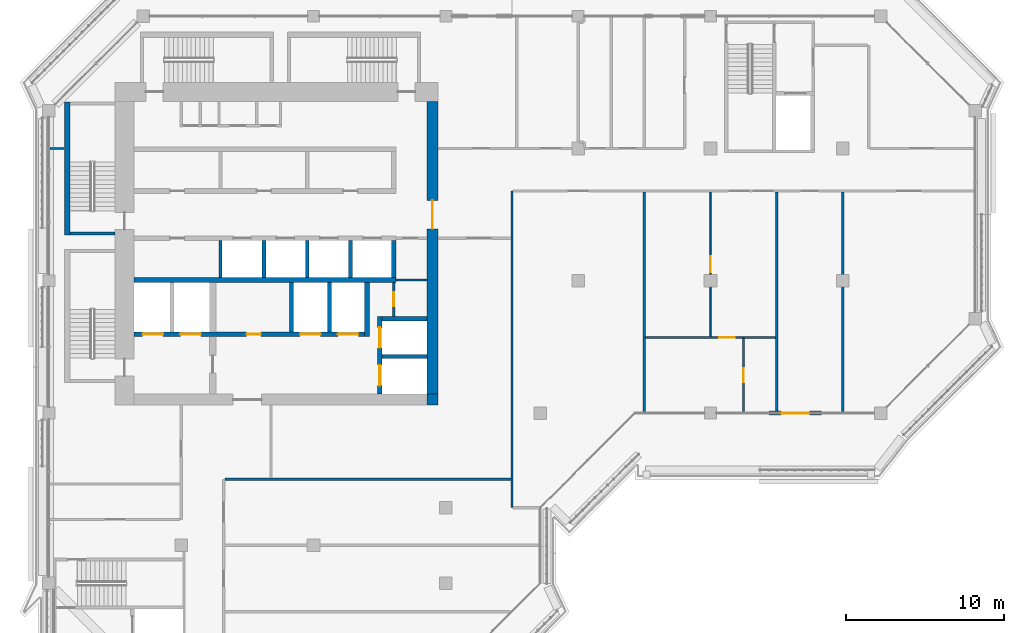
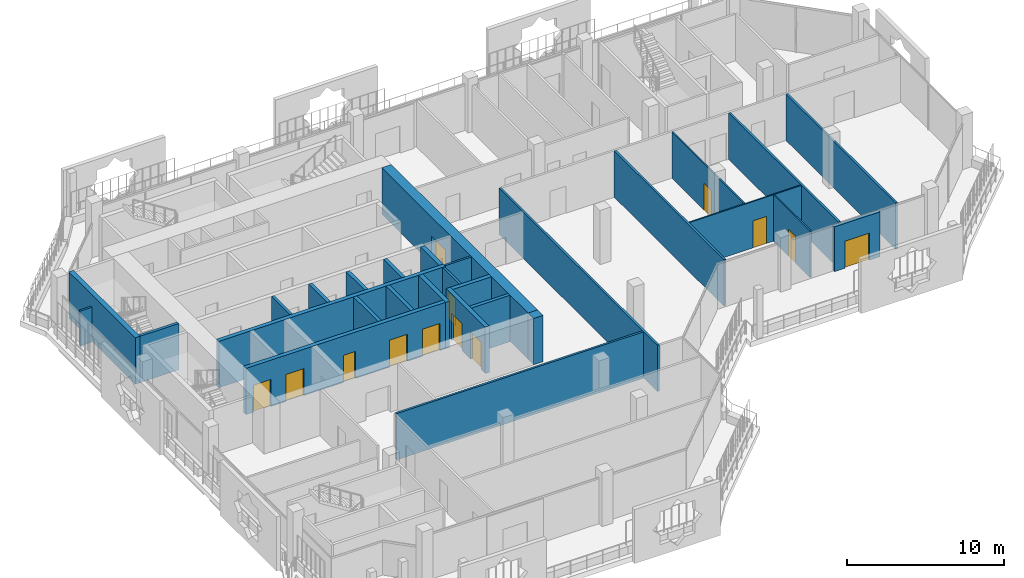
# One storey, part 11 of 21: 29 walls, 13 doors, 13 openings.
"""IFC4 building model written with IfcOpenShell, lengths in metres."""

from ifc_helpers import new_model, si_unit, direction, frame, frame_2d, origin, place, context, subcontext, project, spatial, rectangle, extrude, material, layer, layer_set, type_object, element, fill, save


model = new_model("IFC4")

# Units and contexts
model_context = context("Model", 3, precision=1e-05, world=origin(), true_north=direction((0.0, 1.0)))
body_context = subcontext(model_context, "Body", "Model", "MODEL_VIEW")
ifc_project = project(units=[si_unit("LENGTHUNIT", "METRE"), si_unit("AREAUNIT", "SQUARE_METRE"), si_unit("VOLUMEUNIT", "CUBIC_METRE"), si_unit("PLANEANGLEUNIT", "RADIAN"), si_unit("MASSUNIT", "GRAM", prefix="KILO")], contexts=[model_context])

# Site, building, storey
site_placement = place(None, origin())
site = spatial("IfcSite", under=ifc_project, at=site_placement, CompositionType="ELEMENT")
building_placement = place(site_placement, origin())
building = spatial("IfcBuilding", under=site, at=building_placement, Name="Kawkab Arch Medical Tower", CompositionType="ELEMENT")
storey_placement = place(building_placement, frame((0.0, 0.0, 311.199951171875)))
storey = spatial("IfcBuildingStorey", under=building, at=storey_placement, Name="L72", CompositionType="ELEMENT", Elevation=311.199951171875)

# Wall, opening, door
ifc_material_1 = material(Name="Concrete C50/60", Category="concrete")
ifc_layer_1 = layer(ifc_material_1, 0.699951171875)
ifc_layer_set_1 = layer_set([ifc_layer_1], Name="Concrete C50/60")
wall_type_1 = type_object("IfcWallType", Name="Core ring wall 700 C50/60", PredefinedType="SHEAR", material=ifc_layer_set_1)
wall_1_placement = place(storey_placement, frame((24.35009765625, -24.0, 0.0), z_axis=(0.0, 0.0, 1.0), x_axis=(0.0, 1.0, 0.0)))
wall_1 = element("IfcWall", 1, at=wall_1_placement, inside=storey, type_object=wall_type_1, Name="L72 core wall", PredefinedType="SHEAR", context=body_context, shape_type="SweptSolid", body=[
    extrude(rectangle(XDim=18.60009765625, YDim=0.699951171875, at=frame_2d((9.300048828125, 0.0))), origin(), (0.0, 0.0, 1.0), 3.60009765625),
])
opening_1_placement = place(wall_1_placement, frame((10.5, 0.0, 0.0)))
opening_1 = element("IfcOpeningElement", 2, at=opening_1_placement, cuts=wall_1, Name="Opening PD", PredefinedType="OPENING", context=body_context, shape_type="SweptSolid", body=[
    extrude(rectangle(XDim=1.800048828125, YDim=2.10009765625, at=frame_2d((0.89990234375, 1.050048828125))), frame((0.0, 0.35986328125, 0.0), z_axis=(0.0, -1.0, 0.0), x_axis=(1.0, 0.0, 0.0)), (0.0, 0.0, 1.0), 0.719970703125),
])
ifc_material_2 = material(Name="Hollow metal fire door leaf")
door_type_1 = type_object("IfcDoorType", Name="Core entrance doors 1800", OperationType="DOUBLE_DOOR_SINGLE_SWING", PredefinedType="DOOR", material=ifc_material_2)
door_1_placement = place(opening_1_placement, origin())
door_1 = element("IfcDoor", 3, at=door_1_placement, inside=storey, type_object=door_type_1, Name="L72 East entrance doors", OperationType="DOUBLE_DOOR_SINGLE_SWING", OverallHeight=2.10009765625, OverallWidth=1.800048828125, PredefinedType="DOOR", context=body_context, shape_type="SweptSolid", body=[
    extrude(rectangle(XDim=1.800048828125, YDim=2.10009765625, at=frame_2d((0.89990234375, 1.050048828125))), frame((0.0, 0.02490234375, 0.0), z_axis=(0.0, -1.0, 0.0), x_axis=(1.0, 0.0, 0.0)), (0.0, 0.0, 1.0), 0.050048828125),
])
fill(opening_1, door_1)

# Wall
wall_2_placement = place(storey_placement, frame((24.35009765625, -24.699951171875, 0.0), z_axis=(0.0, 0.0, 1.0), x_axis=(0.0, 1.0, 0.0)))
element("IfcWall", 4, at=wall_2_placement, inside=storey, type_object=wall_type_1, Name="L72 core wall", PredefinedType="SHEAR", context=body_context, shape_type="SweptSolid", body=[
    extrude(rectangle(XDim=0.699951171875, YDim=0.699951171875, at=frame_2d((0.35009765625, 0.0))), origin(), (0.0, 0.0, 1.0), 3.60009765625),
])

# Wall, opening, door
ifc_material_3 = material(Name="Gypsum board on steel studs", Category="steel")
ifc_layer_2 = layer(ifc_material_3, 0.14990234375)
ifc_layer_set_2 = layer_set([ifc_layer_2], Name="Gypsum board on steel studs")
wall_type_2 = type_object("IfcWallType", Name="Core room partition 150", PredefinedType="PARTITIONING", material=ifc_layer_set_2)
wall_3_placement = place(storey_placement, frame((21.89990234375, -19.050048828125, 0.0), z_axis=(0.0, 0.0, 1.0), x_axis=(0.0, 1.0, 0.0)))
wall_3 = element("IfcWall", 5, at=wall_3_placement, inside=storey, type_object=wall_type_2, Name="L72 core room partition", PredefinedType="PARTITIONING", context=body_context, shape_type="SweptSolid", body=[
    extrude(rectangle(XDim=2.150146484375, YDim=0.14990234375, at=frame_2d((1.0751953125, 0.0))), origin(), (0.0, 0.0, 1.0), 3.60009765625),
])
opening_2_placement = place(wall_3_placement, frame((0.625, 0.0, 0.0)))
opening_2 = element("IfcOpeningElement", 6, at=opening_2_placement, cuts=wall_3, Name="Opening RD", PredefinedType="OPENING", context=body_context, shape_type="SweptSolid", body=[
    extrude(rectangle(XDim=0.89990234375, YDim=2.10009765625, at=frame_2d((0.449951171875, 1.050048828125))), frame((0.0, 0.0849609375, 0.0), z_axis=(0.0, -1.0, 0.0), x_axis=(1.0, 0.0, 0.0)), (0.0, 0.0, 1.0), 0.169921875),
])
ifc_material_4 = material(Name="Hollow metal fire door leaf")
door_type_2 = type_object("IfcDoorType", Name="Core room door 900", OperationType="SINGLE_SWING_LEFT", PredefinedType="DOOR", material=ifc_material_4)
door_2_placement = place(opening_2_placement, origin())
door_2 = element("IfcDoor", 7, at=door_2_placement, inside=storey, type_object=door_type_2, Name="L72 Staff WC door", OperationType="SINGLE_SWING_LEFT", OverallHeight=2.10009765625, OverallWidth=0.89990234375, PredefinedType="DOOR", context=body_context, shape_type="SweptSolid", body=[
    extrude(rectangle(XDim=0.89990234375, YDim=2.10009765625, at=frame_2d((0.449951171875, 1.050048828125))), frame((0.0, 0.02490234375, 0.0), z_axis=(0.0, -1.0, 0.0), x_axis=(1.0, 0.0, 0.0)), (0.0, 0.0, 1.0), 0.050048828125),
])
fill(opening_2, door_2)

# Walls
wall_4_placement = place(storey_placement, frame((22.050048828125, -16.75, 0.0), z_axis=(0.0, 0.0, 1.0), x_axis=(1.0, 0.0, 0.0)))
element("IfcWall", 8, at=wall_4_placement, inside=storey, type_object=wall_type_2, Name="L72 core room partition", PredefinedType="PARTITIONING", context=body_context, shape_type="SweptSolid", body=[
    extrude(rectangle(XDim=1.949951171875, YDim=0.14990234375, at=frame_2d((0.97509765625, 0.0))), origin(), (0.0, 0.0, 1.0), 3.60009765625),
])
ifc_material_5 = material(Name="Concrete C60/75", Category="concrete")
ifc_layer_3 = layer(ifc_material_5, 0.25)
ifc_layer_set_3 = layer_set([ifc_layer_3], Name="Concrete C60/75")
wall_type_3 = type_object("IfcWallType", Name="Core shear wall 250 C60/75", PredefinedType="SHEAR", material=ifc_layer_set_3)
wall_5_placement = place(storey_placement, frame((21.14990234375, -21.60009765625, 0.0), z_axis=(0.0, 0.0, 1.0), x_axis=(1.0, 0.0, 0.0)))
element("IfcWall", 9, at=wall_5_placement, inside=storey, type_object=wall_type_3, Name="L72 core shear wall", PredefinedType="SHEAR", context=body_context, shape_type="SweptSolid", body=[
    extrude(rectangle(XDim=2.85009765625, YDim=0.25, at=frame_2d((1.425048828125, 0.0))), origin(), (0.0, 0.0, 1.0), 3.60009765625),
])
for number, where, z_axis, x_axis, name in (
    (10, (15.39990234375, -20.050048828125, 0.0), (0.0, 0.0, 1.0), (0.0, 1.0, 0.0), "L72 core shear wall"),
    (11, (17.800048828125, -20.050048828125, 0.0), (0.0, 0.0, 1.0), (0.0, 1.0, 0.0), "L72 core shear wall"),
):
    element("IfcWall", number, at=place(storey_placement, frame(where, z_axis=z_axis, x_axis=x_axis)), inside=storey, type_object=wall_type_3, Name=name, PredefinedType="SHEAR", context=body_context, shape_type="SweptSolid", body=[
        extrude(rectangle(XDim=3.150146484375, YDim=0.25, at=frame_2d((1.5751953125, 0.0))), origin(), (0.0, 0.0, 1.0), 3.60009765625),
    ])
for number, where, z_axis, x_axis, name in (
    (12, (13.64990234375, -16.60009765625, 0.0), (0.0, 0.0, 1.0), (0.0, 1.0, 0.0), "L72 core shear wall"),
    (13, (16.39990234375, -16.60009765625, 0.0), (0.0, 0.0, 1.0), (0.0, 1.0, 0.0), "L72 core shear wall"),
    (14, (19.14990234375, -16.60009765625, 0.0), (0.0, 0.0, 1.0), (0.0, 1.0, 0.0), "L72 core shear wall"),
):
    element("IfcWall", number, at=place(storey_placement, frame(where, z_axis=z_axis, x_axis=x_axis)), inside=storey, type_object=wall_type_3, Name=name, PredefinedType="SHEAR", context=body_context, shape_type="SweptSolid", body=[
        extrude(rectangle(XDim=2.35009765625, YDim=0.25, at=frame_2d((1.175048828125, 0.0))), origin(), (0.0, 0.0, 1.0), 3.60009765625),
    ])
ifc_material_6 = material(Name="Concrete C60/75", Category="concrete")
ifc_layer_4 = layer(ifc_material_6, 0.300048828125)
ifc_layer_set_4 = layer_set([ifc_layer_4], Name="Concrete C60/75")
wall_type_4 = type_object("IfcWallType", Name="Core shear wall 300 C60/75", PredefinedType="SHEAR", material=ifc_layer_set_4)
wall_6_placement = place(storey_placement, frame((5.39990234375, -16.75, 0.0), z_axis=(0.0, 0.0, 1.0), x_axis=(1.0, 0.0, 0.0)))
element("IfcWall", 15, at=wall_6_placement, inside=storey, type_object=wall_type_4, Name="L72 core shear wall", PredefinedType="SHEAR", context=body_context, shape_type="SweptSolid", body=[
    extrude(rectangle(XDim=16.650146484375, YDim=0.300048828125, at=frame_2d((8.3251953125, 0.0))), origin(), (0.0, 0.0, 1.0), 3.60009765625),
])

# Wall, openings, doors
wall_7_placement = place(storey_placement, frame((5.39990234375, -20.199951171875, 0.0), z_axis=(0.0, 0.0, 1.0), x_axis=(1.0, 0.0, 0.0)))
wall_7 = element("IfcWall", 16, at=wall_7_placement, inside=storey, type_object=wall_type_4, Name="L72 core shear wall", PredefinedType="SHEAR", context=body_context, shape_type="SweptSolid", body=[
    extrude(rectangle(XDim=14.650146484375, YDim=0.300048828125, at=frame_2d((7.3251953125, 0.0))), origin(), (0.0, 0.0, 1.0), 3.60009765625),
])
opening_3_placement = place(wall_7_placement, frame((10.550048828125, 0.0, 0.0)))
opening_3 = element("IfcOpeningElement", 17, at=opening_3_placement, cuts=wall_7, Name="Opening LD2", PredefinedType="OPENING", context=body_context, shape_type="SweptSolid", body=[
    extrude(rectangle(XDim=1.300048828125, YDim=2.10009765625, at=frame_2d((0.64990234375, 1.050048828125))), frame((0.0, 0.159912109375, 0.0), z_axis=(0.0, -1.0, 0.0), x_axis=(1.0, 0.0, 0.0)), (0.0, 0.0, 1.0), 0.320068359375),
])
opening_4_placement = place(wall_7_placement, frame((12.949951171875, 0.0, 0.0)))
opening_4 = element("IfcOpeningElement", 18, at=opening_4_placement, cuts=wall_7, Name="Opening LD2", PredefinedType="OPENING", context=body_context, shape_type="SweptSolid", body=[
    extrude(rectangle(XDim=1.300048828125, YDim=2.10009765625, at=frame_2d((0.64990234375, 1.050048828125))), frame((0.0, 0.159912109375, 0.0), z_axis=(0.0, -1.0, 0.0), x_axis=(1.0, 0.0, 0.0)), (0.0, 0.0, 1.0), 0.320068359375),
])
opening_5_placement = place(wall_7_placement, frame((0.550048828125, 0.0, 0.0)))
opening_5 = element("IfcOpeningElement", 19, at=opening_5_placement, cuts=wall_7, Name="Opening LD2", PredefinedType="OPENING", context=body_context, shape_type="SweptSolid", body=[
    extrude(rectangle(XDim=1.300048828125, YDim=2.10009765625, at=frame_2d((0.64990234375, 1.050048828125))), frame((0.0, 0.159912109375, 0.0), z_axis=(0.0, -1.0, 0.0), x_axis=(1.0, 0.0, 0.0)), (0.0, 0.0, 1.0), 0.320068359375),
])
opening_6_placement = place(wall_7_placement, frame((2.949951171875, 0.0, 0.0)))
opening_6 = element("IfcOpeningElement", 20, at=opening_6_placement, cuts=wall_7, Name="Opening LD2", PredefinedType="OPENING", context=body_context, shape_type="SweptSolid", body=[
    extrude(rectangle(XDim=1.300048828125, YDim=2.10009765625, at=frame_2d((0.64990234375, 1.050048828125))), frame((0.0, 0.159912109375, 0.0), z_axis=(0.0, -1.0, 0.0), x_axis=(1.0, 0.0, 0.0)), (0.0, 0.0, 1.0), 0.320068359375),
])
opening_7_placement = place(wall_7_placement, frame((7.14990234375, 0.0, 0.0)))
opening_7 = element("IfcOpeningElement", 21, at=opening_7_placement, cuts=wall_7, Name="Opening RD", PredefinedType="OPENING", context=body_context, shape_type="SweptSolid", body=[
    extrude(rectangle(XDim=0.89990234375, YDim=2.10009765625, at=frame_2d((0.449951171875, 1.050048828125))), frame((0.0, 0.159912109375, 0.0), z_axis=(0.0, -1.0, 0.0), x_axis=(1.0, 0.0, 0.0)), (0.0, 0.0, 1.0), 0.320068359375),
])
door_3_placement = place(opening_7_placement, origin())
door_3 = element("IfcDoor", 22, at=door_3_placement, inside=storey, type_object=door_type_2, Name="L72 Housekeeping store door", OperationType="SINGLE_SWING_LEFT", OverallHeight=2.10009765625, OverallWidth=0.89990234375, PredefinedType="DOOR", context=body_context, shape_type="SweptSolid", body=[
    extrude(rectangle(XDim=0.89990234375, YDim=2.10009765625, at=frame_2d((0.449951171875, 1.050048828125))), frame((0.0, 0.02490234375, 0.0), z_axis=(0.0, -1.0, 0.0), x_axis=(1.0, 0.0, 0.0)), (0.0, 0.0, 1.0), 0.050048828125),
])
fill(opening_7, door_3)
ifc_material_7 = material(Name="Stainless steel lift door leaf", Category="steel")
door_type_3 = type_object("IfcDoorType", Name="Lift landing door 1300", OperationType="DOUBLE_DOOR_SLIDING", PredefinedType="DOOR", material=ifc_material_7)
door_4_placement = place(opening_3_placement, origin())
door_4 = element("IfcDoor", 23, at=door_4_placement, inside=storey, type_object=door_type_3, Name="L72 Lift landing door BD3", OperationType="DOUBLE_DOOR_SLIDING", OverallHeight=2.10009765625, OverallWidth=1.300048828125, PredefinedType="DOOR", context=body_context, shape_type="SweptSolid", body=[
    extrude(rectangle(XDim=1.300048828125, YDim=2.10009765625, at=frame_2d((0.64990234375, 1.050048828125))), frame((0.0, 0.02490234375, 0.0), z_axis=(0.0, -1.0, 0.0), x_axis=(1.0, 0.0, 0.0)), (0.0, 0.0, 1.0), 0.050048828125),
])
fill(opening_3, door_4)
door_5_placement = place(opening_4_placement, origin())
door_5 = element("IfcDoor", 24, at=door_5_placement, inside=storey, type_object=door_type_3, Name="L72 Lift landing door BD4", OperationType="DOUBLE_DOOR_SLIDING", OverallHeight=2.10009765625, OverallWidth=1.300048828125, PredefinedType="DOOR", context=body_context, shape_type="SweptSolid", body=[
    extrude(rectangle(XDim=1.300048828125, YDim=2.10009765625, at=frame_2d((0.64990234375, 1.050048828125))), frame((0.0, 0.02490234375, 0.0), z_axis=(0.0, -1.0, 0.0), x_axis=(1.0, 0.0, 0.0)), (0.0, 0.0, 1.0), 0.050048828125),
])
fill(opening_4, door_5)
door_6_placement = place(opening_5_placement, origin())
door_6 = element("IfcDoor", 25, at=door_6_placement, inside=storey, type_object=door_type_3, Name="L72 Lift landing door FL1", OperationType="DOUBLE_DOOR_SLIDING", OverallHeight=2.10009765625, OverallWidth=1.300048828125, PredefinedType="DOOR", context=body_context, shape_type="SweptSolid", body=[
    extrude(rectangle(XDim=1.300048828125, YDim=2.10009765625, at=frame_2d((0.64990234375, 1.050048828125))), frame((0.0, 0.02490234375, 0.0), z_axis=(0.0, -1.0, 0.0), x_axis=(1.0, 0.0, 0.0)), (0.0, 0.0, 1.0), 0.050048828125),
])
fill(opening_5, door_6)
door_7_placement = place(opening_6_placement, origin())
door_7 = element("IfcDoor", 26, at=door_7_placement, inside=storey, type_object=door_type_3, Name="L72 Lift landing door FL2", OperationType="DOUBLE_DOOR_SLIDING", OverallHeight=2.10009765625, OverallWidth=1.300048828125, PredefinedType="DOOR", context=body_context, shape_type="SweptSolid", body=[
    extrude(rectangle(XDim=1.300048828125, YDim=2.10009765625, at=frame_2d((0.64990234375, 1.050048828125))), frame((0.0, 0.02490234375, 0.0), z_axis=(0.0, -1.0, 0.0), x_axis=(1.0, 0.0, 0.0)), (0.0, 0.0, 1.0), 0.050048828125),
])
fill(opening_6, door_7)

# Walls
wall_8_placement = place(storey_placement, frame((20.199951171875, -20.35009765625, 0.0), z_axis=(0.0, 0.0, 1.0), x_axis=(0.0, 1.0, 0.0)))
element("IfcWall", 27, at=wall_8_placement, inside=storey, type_object=wall_type_4, Name="L72 core shear wall", PredefinedType="SHEAR", context=body_context, shape_type="SweptSolid", body=[
    extrude(rectangle(XDim=3.4501953125, YDim=0.300048828125, at=frame_2d((1.72509765625, 0.0))), origin(), (0.0, 0.0, 1.0), 3.60009765625),
])
wall_9_placement = place(storey_placement, frame((21.89990234375, -16.60009765625, 0.0), z_axis=(0.0, 0.0, 1.0), x_axis=(0.0, 1.0, 0.0)))
element("IfcWall", 28, at=wall_9_placement, inside=storey, type_object=wall_type_4, Name="L72 core shear wall", PredefinedType="SHEAR", context=body_context, shape_type="SweptSolid", body=[
    extrude(rectangle(XDim=2.35009765625, YDim=0.300048828125, at=frame_2d((1.175048828125, 0.0))), origin(), (0.0, 0.0, 1.0), 3.60009765625),
])
wall_10_placement = place(storey_placement, frame((21.14990234375, -19.199951171875, 0.0), z_axis=(0.0, 0.0, 1.0), x_axis=(1.0, 0.0, 0.0)))
element("IfcWall", 29, at=wall_10_placement, inside=storey, type_object=wall_type_4, Name="L72 core shear wall", PredefinedType="SHEAR", context=body_context, shape_type="SweptSolid", body=[
    extrude(rectangle(XDim=2.85009765625, YDim=0.300048828125, at=frame_2d((1.425048828125, 0.0))), origin(), (0.0, 0.0, 1.0), 3.60009765625),
])

# Wall, openings, doors
wall_11_placement = place(storey_placement, frame((21.0, -24.0, 0.0), z_axis=(0.0, 0.0, 1.0), x_axis=(0.0, 1.0, 0.0)))
wall_11 = element("IfcWall", 30, at=wall_11_placement, inside=storey, type_object=wall_type_4, Name="L72 core shear wall", PredefinedType="SHEAR", context=body_context, shape_type="SweptSolid", body=[
    extrude(rectangle(XDim=4.949951171875, YDim=0.300048828125, at=frame_2d((2.47509765625, 0.0))), origin(), (0.0, 0.0, 1.0), 3.60009765625),
])
opening_8_placement = place(wall_11_placement, frame((2.949951171875, 0.0, 0.0)))
opening_8 = element("IfcOpeningElement", 31, at=opening_8_placement, cuts=wall_11, Name="Opening LD2", PredefinedType="OPENING", context=body_context, shape_type="SweptSolid", body=[
    extrude(rectangle(XDim=1.300048828125, YDim=2.10009765625, at=frame_2d((0.64990234375, 1.050048828125))), frame((0.0, 0.159912109375, 0.0), z_axis=(0.0, -1.0, 0.0), x_axis=(1.0, 0.0, 0.0)), (0.0, 0.0, 1.0), 0.320068359375),
])
opening_9_placement = place(wall_11_placement, frame((0.550048828125, 0.0, 0.0)))
opening_9 = element("IfcOpeningElement", 32, at=opening_9_placement, cuts=wall_11, Name="Opening LD2", PredefinedType="OPENING", context=body_context, shape_type="SweptSolid", body=[
    extrude(rectangle(XDim=1.300048828125, YDim=2.10009765625, at=frame_2d((0.64990234375, 1.050048828125))), frame((0.0, 0.159912109375, 0.0), z_axis=(0.0, -1.0, 0.0), x_axis=(1.0, 0.0, 0.0)), (0.0, 0.0, 1.0), 0.320068359375),
])
door_8_placement = place(opening_8_placement, origin())
door_8 = element("IfcDoor", 33, at=door_8_placement, inside=storey, type_object=door_type_3, Name="L72 Lift landing door BD1", OperationType="DOUBLE_DOOR_SLIDING", OverallHeight=2.10009765625, OverallWidth=1.300048828125, PredefinedType="DOOR", context=body_context, shape_type="SweptSolid", body=[
    extrude(rectangle(XDim=1.300048828125, YDim=2.10009765625, at=frame_2d((0.64990234375, 1.050048828125))), frame((0.0, 0.02490234375, 0.0), z_axis=(0.0, -1.0, 0.0), x_axis=(1.0, 0.0, 0.0)), (0.0, 0.0, 1.0), 0.050048828125),
])
fill(opening_8, door_8)
door_9_placement = place(opening_9_placement, origin())
door_9 = element("IfcDoor", 34, at=door_9_placement, inside=storey, type_object=door_type_3, Name="L72 Lift landing door BD2", OperationType="DOUBLE_DOOR_SLIDING", OverallHeight=2.10009765625, OverallWidth=1.300048828125, PredefinedType="DOOR", context=body_context, shape_type="SweptSolid", body=[
    extrude(rectangle(XDim=1.300048828125, YDim=2.10009765625, at=frame_2d((0.64990234375, 1.050048828125))), frame((0.0, 0.02490234375, 0.0), z_axis=(0.0, -1.0, 0.0), x_axis=(1.0, 0.0, 0.0)), (0.0, 0.0, 1.0), 0.050048828125),
])
fill(opening_9, door_9)

# Wall, opening, door
ifc_material_8 = material(Name="Bronze clad insulated wall panel")
ifc_layer_5 = layer(ifc_material_8, 0.25)
ifc_layer_set_5 = layer_set([ifc_layer_5], Name="Bronze clad insulated wall panel")
wall_type_5 = type_object("IfcWallType", Name="External wall bay 250", PredefinedType="SOLIDWALL", material=ifc_layer_set_5)
wall_12_placement = place(storey_placement, frame((45.716552734375, -25.199951171875, 0.0), z_axis=(0.0, 0.0, 1.0), x_axis=(1.0, 0.0, 0.0)))
wall_12 = element("IfcWall", 35, at=wall_12_placement, inside=storey, type_object=wall_type_5, Name="External wall bay L72.R11.2.2", PredefinedType="SOLIDWALL", context=body_context, shape_type="SweptSolid", body=[
    extrude(rectangle(XDim=3.341796875, YDim=0.25, at=frame_2d((1.6708984375, 0.0))), origin(), (0.0, 0.0, 1.0), 3.47998046875),
])
opening_10_placement = place(wall_12_placement, frame((0.770751953125, 0.0, 0.0)))
opening_10 = element("IfcOpeningElement", 36, at=opening_10_placement, cuts=wall_12, Name="Opening W67-701", PredefinedType="OPENING", context=body_context, shape_type="SweptSolid", body=[
    extrude(rectangle(XDim=1.800048828125, YDim=2.10009765625, at=frame_2d((0.89990234375, 1.050048828125))), frame((0.0, 0.135009765625, 0.0), z_axis=(0.0, -1.0, 0.0), x_axis=(1.0, 0.0, 0.0)), (0.0, 0.0, 1.0), 0.27001953125),
])
ifc_material_9 = material(Name="Bronze anodised aluminium door with tinted glass", Category="aluminium")
door_type_4 = type_object("IfcDoorType", Name="Double external door 1800 x 2100", OperationType="DOUBLE_DOOR_SINGLE_SWING", PredefinedType="DOOR", material=ifc_material_9)
door_10_placement = place(opening_10_placement, origin())
door_10 = element("IfcDoor", 37, at=door_10_placement, inside=storey, type_object=door_type_4, Name="External door L72.R11.2.2", OperationType="DOUBLE_DOOR_SINGLE_SWING", OverallHeight=2.10009765625, OverallWidth=1.800048828125, PredefinedType="DOOR", context=body_context, shape_type="SweptSolid", body=[
    extrude(rectangle(XDim=1.800048828125, YDim=2.10009765625, at=frame_2d((0.89990234375, 1.050048828125))), frame((0.0, 0.02490234375, 0.0), z_axis=(0.0, -1.0, 0.0), x_axis=(1.0, 0.0, 0.0)), (0.0, 0.0, 1.0), 0.050048828125),
])
fill(opening_10, door_10)

# Wall
ifc_material_10 = material(Name="Dense concrete blockwork", Category="masonry")
ifc_layer_6 = layer(ifc_material_10, 0.199951171875)
ifc_layer_set_6 = layer_set([ifc_layer_6], Name="Dense concrete blockwork")
wall_type_6 = type_object("IfcWallType", Name="Lift shaft partition 200", PredefinedType="PARTITIONING", material=ifc_layer_set_6)
wall_13_placement = place(storey_placement, frame((10.89990234375, -16.60009765625, 0.0), z_axis=(0.0, 0.0, 1.0), x_axis=(0.0, 1.0, 0.0)))
element("IfcWall", 38, at=wall_13_placement, inside=storey, type_object=wall_type_6, Name="L72 lift shaft partition", PredefinedType="PARTITIONING", context=body_context, shape_type="SweptSolid", body=[
    extrude(rectangle(XDim=2.35009765625, YDim=0.199951171875, at=frame_2d((1.175048828125, 0.0))), origin(), (0.0, 0.0, 1.0), 3.60009765625),
])

# Wall, opening, door
ifc_material_11 = material(Name="Gypsum board partition on steel studs", Category="steel")
ifc_layer_7 = layer(ifc_material_11, 0.10009765625)
ifc_layer_set_7 = layer_set([ifc_layer_7], Name="Gypsum board partition on steel studs")
wall_type_7 = type_object("IfcWallType", Name="Partition 100", PredefinedType="PARTITIONING", material=ifc_layer_set_7)
wall_14_placement = place(storey_placement, frame((37.875, -20.39990234375, 0.0), z_axis=(0.0, 0.0, 1.0), x_axis=(1.0, 0.0, 0.0)))
wall_14 = element("IfcWall", 39, at=wall_14_placement, inside=storey, type_object=wall_type_7, Name="Partition 100 w001", PredefinedType="PARTITIONING", context=body_context, shape_type="SweptSolid", body=[
    extrude(rectangle(XDim=8.25, YDim=0.10009765625, at=frame_2d((4.125, 0.0))), origin(), (0.0, 0.0, 1.0), 3.60009765625),
])
opening_11_placement = place(wall_14_placement, frame((4.675048828125, 0.0, 0.0)))
opening_11 = element("IfcOpeningElement", 40, at=opening_11_placement, cuts=wall_14, Name="Opening W67-006", PredefinedType="OPENING", context=body_context, shape_type="SweptSolid", body=[
    extrude(rectangle(XDim=1.0, YDim=2.10009765625, at=frame_2d((0.5, 1.050048828125))), frame((0.0, 0.06005859375, 0.0), z_axis=(0.0, -1.0, 0.0), x_axis=(1.0, 0.0, 0.0)), (0.0, 0.0, 1.0), 0.1201171875),
])
ifc_material_12 = material(Name="Timber door leaf", Category="wood")
door_type_5 = type_object("IfcDoorType", Name="Single door 1000x2100", OperationType="NOTDEFINED", PredefinedType="DOOR", material=ifc_material_12)
door_11_placement = place(opening_11_placement, origin())
door_11 = element("IfcDoor", 41, at=door_11_placement, inside=storey, type_object=door_type_5, Name="Door W67-006", OperationType="SINGLE_SWING_LEFT", OverallHeight=2.10009765625, OverallWidth=1.0, PredefinedType="DOOR", context=body_context, shape_type="SweptSolid", body=[
    extrude(rectangle(XDim=1.0, YDim=2.10009765625, at=frame_2d((0.5, 1.050048828125))), frame((0.0, 0.02490234375, 0.0), z_axis=(0.0, -1.0, 0.0), x_axis=(1.0, 0.0, 0.0)), (0.0, 0.0, 1.0), 0.050048828125),
])
fill(opening_11, door_11)

wall_15_placement = place(storey_placement, frame((42.0, -20.35009765625, 0.0), z_axis=(0.0, 0.0, 1.0), x_axis=(0.0, 1.0, 0.0)))
wall_15 = element("IfcWall", 42, at=wall_15_placement, inside=storey, type_object=wall_type_7, Name="Partition 100 w002", PredefinedType="PARTITIONING", context=body_context, shape_type="SweptSolid", body=[
    extrude(rectangle(XDim=9.175048828125, YDim=0.10009765625, at=frame_2d((4.58740234375, 0.0))), origin(), (0.0, 0.0, 1.0), 3.60009765625),
])
opening_12_placement = place(wall_15_placement, frame((4.10009765625, 0.0, 0.0)))
opening_12 = element("IfcOpeningElement", 43, at=opening_12_placement, cuts=wall_15, Name="Opening W67-007", PredefinedType="OPENING", context=body_context, shape_type="SweptSolid", body=[
    extrude(rectangle(XDim=1.0, YDim=2.10009765625, at=frame_2d((0.5, 1.050048828125))), frame((0.0, 0.06005859375, 0.0), z_axis=(0.0, -1.0, 0.0), x_axis=(1.0, 0.0, 0.0)), (0.0, 0.0, 1.0), 0.1201171875),
])
door_12_placement = place(opening_12_placement, origin())
door_12 = element("IfcDoor", 44, at=door_12_placement, inside=storey, type_object=door_type_5, Name="Door W67-007", OperationType="SINGLE_SWING_LEFT", OverallHeight=2.10009765625, OverallWidth=1.0, PredefinedType="DOOR", context=body_context, shape_type="SweptSolid", body=[
    extrude(rectangle(XDim=1.0, YDim=2.10009765625, at=frame_2d((0.5, 1.050048828125))), frame((0.0, 0.02490234375, 0.0), z_axis=(0.0, -1.0, 0.0), x_axis=(1.0, 0.0, 0.0)), (0.0, 0.0, 1.0), 0.050048828125),
])
fill(opening_12, door_12)

wall_16_placement = place(storey_placement, frame((44.10009765625, -25.1201171875, 0.0), z_axis=(0.0, 0.0, 1.0), x_axis=(0.0, 1.0, 0.0)))
wall_16 = element("IfcWall", 45, at=wall_16_placement, inside=storey, type_object=wall_type_7, Name="Partition 100 w003", PredefinedType="PARTITIONING", context=body_context, shape_type="SweptSolid", body=[
    extrude(rectangle(XDim=4.670166015625, YDim=0.10009765625, at=frame_2d((2.3349609375, 0.0))), origin(), (0.0, 0.0, 1.0), 3.60009765625),
])
opening_13_placement = place(wall_16_placement, frame((1.8701171875, 0.0, 0.0)))
opening_13 = element("IfcOpeningElement", 46, at=opening_13_placement, cuts=wall_16, Name="Opening W67-004", PredefinedType="OPENING", context=body_context, shape_type="SweptSolid", body=[
    extrude(rectangle(XDim=0.89990234375, YDim=2.10009765625, at=frame_2d((0.449951171875, 1.050048828125))), frame((0.0, 0.06005859375, 0.0), z_axis=(0.0, -1.0, 0.0), x_axis=(1.0, 0.0, 0.0)), (0.0, 0.0, 1.0), 0.1201171875),
])
ifc_material_13 = material(Name="Timber door leaf", Category="wood")
door_type_6 = type_object("IfcDoorType", Name="Single door 900x2100", OperationType="NOTDEFINED", PredefinedType="DOOR", material=ifc_material_13)
door_13_placement = place(opening_13_placement, origin())
door_13 = element("IfcDoor", 47, at=door_13_placement, inside=storey, type_object=door_type_6, Name="Door W67-004", OperationType="SINGLE_SWING_LEFT", OverallHeight=2.10009765625, OverallWidth=0.89990234375, PredefinedType="DOOR", context=body_context, shape_type="SweptSolid", body=[
    extrude(rectangle(XDim=0.89990234375, YDim=2.10009765625, at=frame_2d((0.449951171875, 1.050048828125))), frame((0.0, 0.02490234375, 0.0), z_axis=(0.0, -1.0, 0.0), x_axis=(1.0, 0.0, 0.0)), (0.0, 0.0, 1.0), 0.050048828125),
])
fill(opening_13, door_13)

# Walls
ifc_material_14 = material(Name="Gypsum board partition on steel studs, mineral wool", Category="steel")
ifc_layer_8 = layer(ifc_material_14, 0.14990234375)
ifc_layer_set_8 = layer_set([ifc_layer_8], Name="Gypsum board partition on steel studs, mineral wool")
wall_type_8 = type_object("IfcWallType", Name="Partition 150", PredefinedType="PARTITIONING", material=ifc_layer_set_8)
wall_17_placement = place(storey_placement, frame((11.175048828125, -29.39990234375, 0.0), z_axis=(0.0, 0.0, 1.0), x_axis=(1.0, 0.0, 0.0)))
element("IfcWall", 48, at=wall_17_placement, inside=storey, type_object=wall_type_8, Name="Partition 150 w009", PredefinedType="PARTITIONING", context=body_context, shape_type="SweptSolid", body=[
    extrude(rectangle(XDim=18.14990234375, YDim=0.14990234375, at=frame_2d((9.074951171875, 0.0))), origin(), (0.0, 0.0, 1.0), 3.60009765625),
])
wall_18_placement = place(storey_placement, frame((0.080078125, -8.39990234375, 0.0), z_axis=(0.0, 0.0, 1.0), x_axis=(1.0, 0.0, 0.0)))
element("IfcWall", 49, at=wall_18_placement, inside=storey, type_object=wall_type_8, Name="Partition 150 w012", PredefinedType="PARTITIONING", context=body_context, shape_type="SweptSolid", body=[
    extrude(rectangle(XDim=0.889892578125, YDim=0.14990234375, at=frame_2d((0.44482421875, 0.0))), origin(), (0.0, 0.0, 1.0), 2.699951171875),
])
wall_19_placement = place(storey_placement, frame((29.39990234375, -31.197998046875, 0.0), z_axis=(0.0, 0.0, 1.0), x_axis=(0.0, 1.0, 0.0)))
element("IfcWall", 50, at=wall_19_placement, inside=storey, type_object=wall_type_8, Name="Partition 150 w021", PredefinedType="PARTITIONING", context=body_context, shape_type="SweptSolid", body=[
    extrude(rectangle(XDim=20.097900390625, YDim=0.14990234375, at=frame_2d((10.048828125, 0.0))), origin(), (0.0, 0.0, 1.0), 3.60009765625),
])
for number, where, z_axis, x_axis, name in (
    (51, (37.800048828125, -25.1201171875, 0.0), (0.0, 0.0, 1.0), (0.0, 1.0, 0.0), "Partition 150 w027"),
    (52, (46.199951171875, -25.1201171875, 0.0), (0.0, 0.0, 1.0), (0.0, 1.0, 0.0), "Partition 150 w032"),
    (53, (50.39990234375, -25.1201171875, 0.0), (0.0, 0.0, 1.0), (0.0, 1.0, 0.0), "Partition 150 w033"),
):
    element("IfcWall", number, at=place(storey_placement, frame(where, z_axis=z_axis, x_axis=x_axis)), inside=storey, type_object=wall_type_8, Name=name, PredefinedType="PARTITIONING", context=body_context, shape_type="SweptSolid", body=[
        extrude(rectangle(XDim=13.945068359375, YDim=0.14990234375, at=frame_2d((6.97265625, 0.0))), origin(), (0.0, 0.0, 1.0), 3.60009765625),
    ])
ifc_material_15 = material(Name="Concrete C50/60", Category="concrete")
ifc_layer_9 = layer(ifc_material_15, 0.199951171875)
ifc_layer_set_9 = layer_set([ifc_layer_9], Name="Concrete C50/60")
wall_type_9 = type_object("IfcWallType", Name="Stair enclosure wall 200 C50/60", PredefinedType="SHEAR", material=ifc_layer_set_9)
wall_20_placement = place(storey_placement, frame((1.35009765625, -13.800048828125, 0.0), z_axis=(0.0, 0.0, 1.0), x_axis=(1.0, 0.0, 0.0)))
element("IfcWall", 54, at=wall_20_placement, inside=storey, type_object=wall_type_9, Name="L72 stair enclosure wall", PredefinedType="SHEAR", context=body_context, shape_type="SweptSolid", body=[
    extrude(rectangle(XDim=2.849853515625, YDim=0.199951171875, at=frame_2d((1.4248046875, 0.0))), origin(), (0.0, 0.0, 1.0), 3.60009765625),
])
ifc_material_16 = material(Name="Concrete C50/60", Category="concrete")
ifc_layer_10 = layer(ifc_material_16, 0.35009765625)
ifc_layer_set_10 = layer_set([ifc_layer_10], Name="Concrete C50/60")
wall_type_10 = type_object("IfcWallType", Name="Stair enclosure wall 350 C50/60", PredefinedType="SHEAR", material=ifc_layer_set_10)
wall_21_placement = place(storey_placement, frame((1.175048828125, -13.89990234375, 0.0), z_axis=(0.0, 0.0, 1.0), x_axis=(0.0, 1.0, 0.0)))
element("IfcWall", 55, at=wall_21_placement, inside=storey, type_object=wall_type_10, Name="L72 stair enclosure wall", PredefinedType="SHEAR", context=body_context, shape_type="SweptSolid", body=[
    extrude(rectangle(XDim=8.449951171875, YDim=0.35009765625, at=frame_2d((4.22509765625, 0.0))), origin(), (0.0, 0.0, 1.0), 3.60009765625),
])

save(model, "model.ifc")
